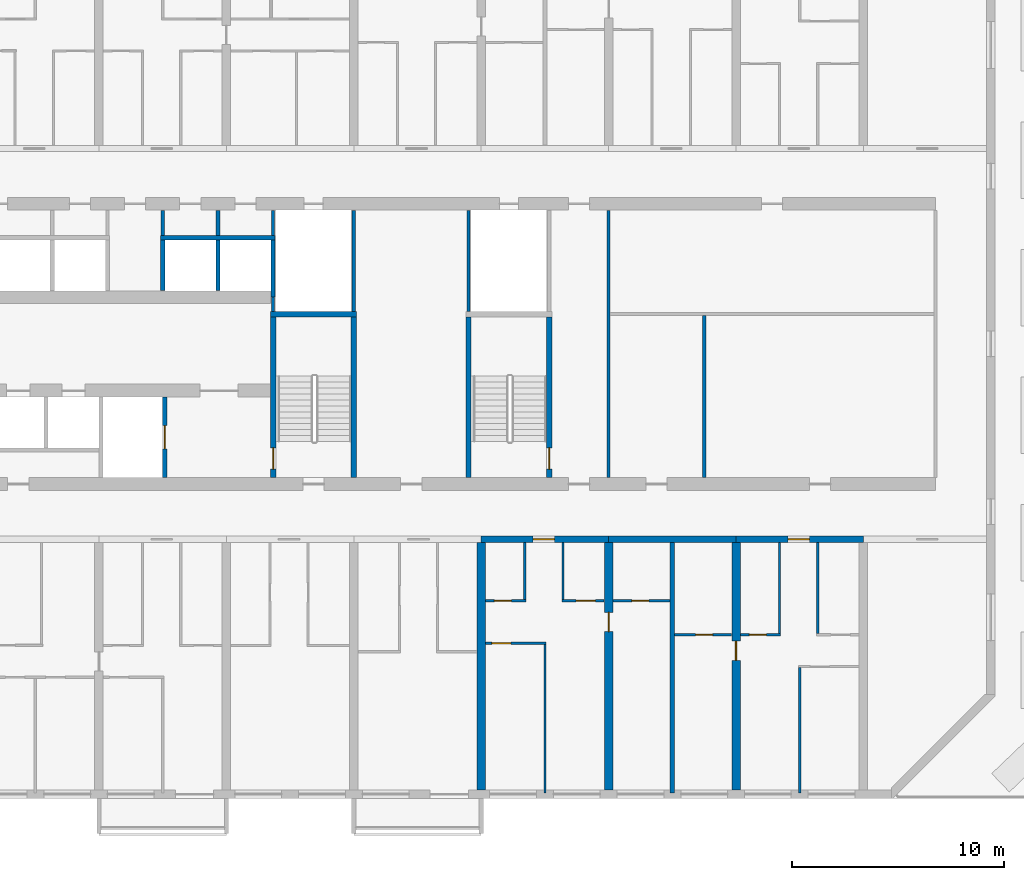
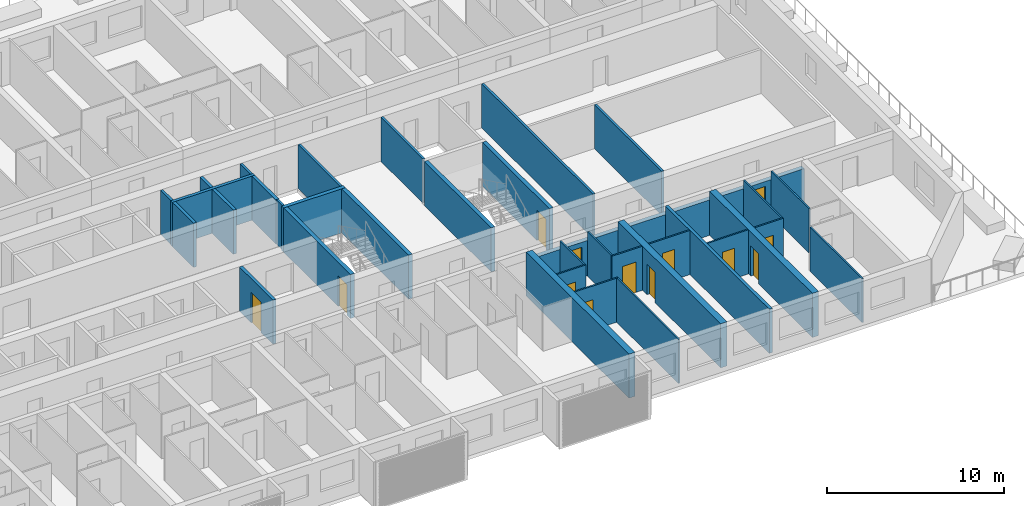
# One storey, part 16 of 23: 37 walls, 13 doors, 13 openings.
"""IFC4 building model written with IfcOpenShell, lengths in metres."""

from ifc_helpers import new_model, si_unit, direction, frame, frame_2d, origin, place, context, subcontext, project, spatial, rectangle, extrude, material, layer, layer_set, type_object, element, fill, save


model = new_model("IFC4")

# Units and contexts
model_context = context("Model", 3, precision=1e-05, world=origin(), true_north=direction((0.0, 1.0)))
body_context = subcontext(model_context, "Body", "Model", "MODEL_VIEW")
ifc_project = project(units=[si_unit("LENGTHUNIT", "METRE"), si_unit("AREAUNIT", "SQUARE_METRE"), si_unit("VOLUMEUNIT", "CUBIC_METRE"), si_unit("PLANEANGLEUNIT", "RADIAN"), si_unit("MASSUNIT", "GRAM", prefix="KILO")], contexts=[model_context])

# Site, building, storey
site_placement = place(None, origin())
site = spatial("IfcSite", under=ifc_project, at=site_placement, CompositionType="ELEMENT")
building_placement = place(site_placement, origin())
building = spatial("IfcBuilding", under=site, at=building_placement, Name="Poui Terraces", CompositionType="ELEMENT")
storey_placement = place(building_placement, frame((0.0, 0.0, 23.39990234375)))
storey = spatial("IfcBuildingStorey", under=building, at=storey_placement, Name="L05", CompositionType="ELEMENT", Elevation=23.39990234375)

# Wall
ifc_material_1 = material(Name="Fire-rated plasterboard wall")
ifc_layer_1 = layer(ifc_material_1, 0.14990234375)
ifc_layer_set_1 = layer_set([ifc_layer_1], Name="Fire-rated plasterboard wall")
wall_type_1 = type_object("IfcWallType", Name="CORRIDOR WALL 150", PredefinedType="PARTITIONING", material=ifc_layer_set_1)
wall_1_placement = place(storey_placement, frame((84.0, 14.909912109375, 0.0), z_axis=(0.0, 0.0, 1.0), x_axis=(0.0, 1.0, 0.0)))
element("IfcWall", 1, at=wall_1_placement, inside=storey, type_object=wall_type_1, Name="CORRIDOR WALL 150", PredefinedType="PARTITIONING", context=body_context, shape_type="SweptSolid", body=[
    extrude(rectangle(XDim=12.580078125, YDim=0.14990234375, at=frame_2d((6.2900390625, 0.0))), origin(), (0.0, 0.0, 1.0), 3.050048828125),
])

# Wall, opening, door
ifc_material_2 = material(Name="Concrete 80 MPa", Category="concrete")
ifc_layer_2 = layer(ifc_material_2, 0.300048828125)
ifc_layer_set_2 = layer_set([ifc_layer_2], Name="Concrete 80 MPa")
wall_type_2 = type_object("IfcWallType", Name="CORRIDOR WALL 300 80MPa", PredefinedType="SHEAR", material=ifc_layer_set_2)
wall_2_placement = place(storey_placement, frame((78.0, 12.0, 0.0), z_axis=(0.0, 0.0, 1.0), x_axis=(1.0, 0.0, 0.0)))
wall_2 = element("IfcWall", 2, at=wall_2_placement, inside=storey, type_object=wall_type_2, Name="CORRIDOR WALL LINE B BAY 14", PredefinedType="SHEAR", context=body_context, shape_type="SweptSolid", body=[
    extrude(rectangle(XDim=6.0, YDim=0.300048828125, at=frame_2d((3.0, 0.0))), origin(), (0.0, 0.0, 1.0), 2.4501953125),
])
opening_1_placement = place(wall_2_placement, frame((2.449951171875, 0.0, 0.0)))
opening_1 = element("IfcOpeningElement", 3, at=opening_1_placement, cuts=wall_2, Name="Opening FD30S", PredefinedType="OPENING", context=body_context, shape_type="SweptSolid", body=[
    extrude(rectangle(XDim=1.0, YDim=2.10009765625, at=frame_2d((0.5, 1.050048828125))), frame((0.0, 0.16015625, 0.0), z_axis=(0.0, -1.0, 0.0), x_axis=(1.0, 0.0, 0.0)), (0.0, 0.0, 1.0), 0.320068359375),
])
ifc_material_3 = material(Name="Steel fire door", Category="steel")
door_type_1 = type_object("IfcDoorType", Name="FLAT ENTRANCE DOOR 1000 X 2100", OperationType="NOTDEFINED", PredefinedType="DOOR", material=ifc_material_3)
door_1_placement = place(opening_1_placement, frame((1.0, 0.0, 0.0), z_axis=(0.0, 0.0, 1.0), x_axis=(-1.0, 0.0, 0.0)))
door_1 = element("IfcDoor", 4, at=door_1_placement, inside=storey, type_object=door_type_1, Name="FLAT ENTRANCE DOOR 142", OperationType="SINGLE_SWING_RIGHT", OverallHeight=2.10009765625, OverallWidth=1.0, PredefinedType="DOOR", context=body_context, shape_type="SweptSolid", body=[
    extrude(rectangle(XDim=1.0, YDim=2.10009765625, at=frame_2d((0.5, 1.050048828125))), frame((0.0, 0.02490234375, 0.0), z_axis=(0.0, -1.0, 0.0), x_axis=(1.0, 0.0, 0.0)), (0.0, 0.0, 1.0), 0.050048828125),
])
fill(opening_1, door_1)

# Wall
wall_3_placement = place(storey_placement, frame((84.0, 12.0, 0.0), z_axis=(0.0, 0.0, 1.0), x_axis=(1.0, 0.0, 0.0)))
element("IfcWall", 5, at=wall_3_placement, inside=storey, type_object=wall_type_2, Name="CORRIDOR WALL LINE B BAY 15", PredefinedType="SHEAR", context=body_context, shape_type="SweptSolid", body=[
    extrude(rectangle(XDim=6.0, YDim=0.300048828125, at=frame_2d((3.0, 0.0))), origin(), (0.0, 0.0, 1.0), 2.4501953125),
])

# Wall, opening, door
wall_4_placement = place(storey_placement, frame((90.0, 12.0, 0.0), z_axis=(0.0, 0.0, 1.0), x_axis=(1.0, 0.0, 0.0)))
wall_4 = element("IfcWall", 6, at=wall_4_placement, inside=storey, type_object=wall_type_2, Name="CORRIDOR WALL LINE B BAY 16", PredefinedType="SHEAR", context=body_context, shape_type="SweptSolid", body=[
    extrude(rectangle(XDim=6.0, YDim=0.300048828125, at=frame_2d((3.0, 0.0))), origin(), (0.0, 0.0, 1.0), 2.4501953125),
])
opening_2_placement = place(wall_4_placement, frame((2.449951171875, 0.0, 0.0)))
opening_2 = element("IfcOpeningElement", 7, at=opening_2_placement, cuts=wall_4, Name="Opening FD30S", PredefinedType="OPENING", context=body_context, shape_type="SweptSolid", body=[
    extrude(rectangle(XDim=1.0, YDim=2.10009765625, at=frame_2d((0.5, 1.050048828125))), frame((0.0, 0.16015625, 0.0), z_axis=(0.0, -1.0, 0.0), x_axis=(1.0, 0.0, 0.0)), (0.0, 0.0, 1.0), 0.320068359375),
])
door_2_placement = place(opening_2_placement, frame((1.0, 0.0, 0.0), z_axis=(0.0, 0.0, 1.0), x_axis=(-1.0, 0.0, 0.0)))
door_2 = element("IfcDoor", 8, at=door_2_placement, inside=storey, type_object=door_type_1, Name="FLAT ENTRANCE DOOR 148", OperationType="SINGLE_SWING_RIGHT", OverallHeight=2.10009765625, OverallWidth=1.0, PredefinedType="DOOR", context=body_context, shape_type="SweptSolid", body=[
    extrude(rectangle(XDim=1.0, YDim=2.10009765625, at=frame_2d((0.5, 1.050048828125))), frame((0.0, 0.02490234375, 0.0), z_axis=(0.0, -1.0, 0.0), x_axis=(1.0, 0.0, 0.0)), (0.0, 0.0, 1.0), 0.050048828125),
])
fill(opening_2, door_2)

# Wall
ifc_layer_3 = layer(ifc_material_2, 0.39990234375)
ifc_layer_set_3 = layer_set([ifc_layer_3], Name="Concrete 80 MPa")
wall_type_3 = type_object("IfcWallType", Name="CROSS WALL 400 80MPa", PredefinedType="SHEAR", material=ifc_layer_set_3)
wall_5_placement = place(storey_placement, frame((78.0, 0.199951171875, 0.0), z_axis=(0.0, 0.0, 1.0), x_axis=(0.0, 1.0, 0.0)))
element("IfcWall", 9, at=wall_5_placement, inside=storey, type_object=wall_type_3, Name="CROSS WALL LINE 14 SOUTH", PredefinedType="SHEAR", context=body_context, shape_type="SweptSolid", body=[
    extrude(rectangle(XDim=11.650146484375, YDim=0.39990234375, at=frame_2d((5.8251953125, 0.0))), origin(), (0.0, 0.0, 1.0), 3.050048828125),
])

# Wall, opening, door
wall_6_placement = place(storey_placement, frame((84.0, 0.199951171875, 0.0), z_axis=(0.0, 0.0, 1.0), x_axis=(0.0, 1.0, 0.0)))
wall_6 = element("IfcWall", 10, at=wall_6_placement, inside=storey, type_object=wall_type_3, Name="CROSS WALL LINE 15 SOUTH", PredefinedType="SHEAR", context=body_context, shape_type="SweptSolid", body=[
    extrude(rectangle(XDim=11.650146484375, YDim=0.39990234375, at=frame_2d((5.8251953125, 0.0))), origin(), (0.0, 0.0, 1.0), 3.050048828125),
])
opening_3_placement = place(wall_6_placement, frame((7.449951171875, 0.0, 0.0)))
opening_3 = element("IfcOpeningElement", 11, at=opening_3_placement, cuts=wall_6, Name="Opening D90", PredefinedType="OPENING", context=body_context, shape_type="SweptSolid", body=[
    extrude(rectangle(XDim=0.89990234375, YDim=2.10009765625, at=frame_2d((0.449951171875, 1.050048828125))), frame((0.0, 0.2099609375, 0.0), z_axis=(0.0, -1.0, 0.0), x_axis=(1.0, 0.0, 0.0)), (0.0, 0.0, 1.0), 0.419921875),
])
ifc_material_4 = material(Name="Solid core timber door", Category="wood")
door_type_2 = type_object("IfcDoorType", Name="INTERNAL DOOR 900 X 2100", OperationType="NOTDEFINED", PredefinedType="DOOR", material=ifc_material_4)
door_3_placement = place(opening_3_placement, frame((0.89990234375, 0.0, 0.0), z_axis=(0.0, 0.0, 1.0), x_axis=(-1.0, 0.0, 0.0)))
door_3 = element("IfcDoor", 12, at=door_3_placement, inside=storey, type_object=door_type_2, Name="INTERNAL DOOR 144", OperationType="SINGLE_SWING_LEFT", OverallHeight=2.10009765625, OverallWidth=0.89990234375, PredefinedType="DOOR", context=body_context, shape_type="SweptSolid", body=[
    extrude(rectangle(XDim=0.89990234375, YDim=2.10009765625, at=frame_2d((0.449951171875, 1.050048828125))), frame((0.0, 0.02490234375, 0.0), z_axis=(0.0, -1.0, 0.0), x_axis=(1.0, 0.0, 0.0)), (0.0, 0.0, 1.0), 0.050048828125),
])
fill(opening_3, door_3)

wall_7_placement = place(storey_placement, frame((90.0, 0.199951171875, 0.0), z_axis=(0.0, 0.0, 1.0), x_axis=(0.0, 1.0, 0.0)))
wall_7 = element("IfcWall", 13, at=wall_7_placement, inside=storey, type_object=wall_type_3, Name="CROSS WALL LINE 16 SOUTH", PredefinedType="SHEAR", context=body_context, shape_type="SweptSolid", body=[
    extrude(rectangle(XDim=11.650146484375, YDim=0.39990234375, at=frame_2d((5.8251953125, 0.0))), origin(), (0.0, 0.0, 1.0), 3.050048828125),
])
opening_4_placement = place(wall_7_placement, frame((6.10009765625, 0.0, 0.0)))
opening_4 = element("IfcOpeningElement", 14, at=opening_4_placement, cuts=wall_7, Name="Opening D90", PredefinedType="OPENING", context=body_context, shape_type="SweptSolid", body=[
    extrude(rectangle(XDim=0.89990234375, YDim=2.10009765625, at=frame_2d((0.449951171875, 1.050048828125))), frame((0.0, 0.2099609375, 0.0), z_axis=(0.0, -1.0, 0.0), x_axis=(1.0, 0.0, 0.0)), (0.0, 0.0, 1.0), 0.419921875),
])
door_4_placement = place(opening_4_placement, origin())
door_4 = element("IfcDoor", 15, at=door_4_placement, inside=storey, type_object=door_type_2, Name="INTERNAL DOOR 146", OperationType="SINGLE_SWING_RIGHT", OverallHeight=2.10009765625, OverallWidth=0.89990234375, PredefinedType="DOOR", context=body_context, shape_type="SweptSolid", body=[
    extrude(rectangle(XDim=0.89990234375, YDim=2.10009765625, at=frame_2d((0.449951171875, 1.050048828125))), frame((0.0, 0.02490234375, 0.0), z_axis=(0.0, -1.0, 0.0), x_axis=(1.0, 0.0, 0.0)), (0.0, 0.0, 1.0), 0.050048828125),
])
fill(opening_4, door_4)

ifc_material_5 = material(Name="Plasterboard partition")
ifc_layer_4 = layer(ifc_material_5, 0.10009765625)
ifc_layer_set_4 = layer_set([ifc_layer_4], Name="Plasterboard partition")
wall_type_4 = type_object("IfcWallType", Name="FLAT PARTITION 100", PredefinedType="PARTITIONING", material=ifc_layer_set_4)
wall_8_placement = place(storey_placement, frame((78.2099609375, 7.10009765625, 0.0), z_axis=(0.0, 0.0, 1.0), x_axis=(1.0, 0.0, 0.0)))
wall_8 = element("IfcWall", 16, at=wall_8_placement, inside=storey, type_object=wall_type_4, Name="FLAT PARTITION 100", PredefinedType="PARTITIONING", context=body_context, shape_type="SweptSolid", body=[
    extrude(rectangle(XDim=2.840087890625, YDim=0.10009765625, at=frame_2d((1.419921875, 0.0))), origin(), (0.0, 0.0, 1.0), 3.050048828125),
])
opening_5_placement = place(wall_8_placement, frame((0.2900390625, 0.0, 0.0)))
opening_5 = element("IfcOpeningElement", 17, at=opening_5_placement, cuts=wall_8, Name="Opening D90", PredefinedType="OPENING", context=body_context, shape_type="SweptSolid", body=[
    extrude(rectangle(XDim=0.89990234375, YDim=2.10009765625, at=frame_2d((0.449951171875, 1.050048828125))), frame((0.0, 0.06005859375, 0.0), z_axis=(0.0, -1.0, 0.0), x_axis=(1.0, 0.0, 0.0)), (0.0, 0.0, 1.0), 0.1201171875),
])
door_5_placement = place(opening_5_placement, origin())
door_5 = element("IfcDoor", 18, at=door_5_placement, inside=storey, type_object=door_type_2, Name="INTERNAL DOOR 140", OperationType="SINGLE_SWING_RIGHT", OverallHeight=2.10009765625, OverallWidth=0.89990234375, PredefinedType="DOOR", context=body_context, shape_type="SweptSolid", body=[
    extrude(rectangle(XDim=0.89990234375, YDim=2.10009765625, at=frame_2d((0.449951171875, 1.050048828125))), frame((0.0, 0.02490234375, 0.0), z_axis=(0.0, -1.0, 0.0), x_axis=(1.0, 0.0, 0.0)), (0.0, 0.0, 1.0), 0.050048828125),
])
fill(opening_5, door_5)

wall_9_placement = place(storey_placement, frame((87.10009765625, 7.5, 0.0), z_axis=(0.0, 0.0, 1.0), x_axis=(1.0, 0.0, 0.0)))
wall_9 = element("IfcWall", 19, at=wall_9_placement, inside=storey, type_object=wall_type_4, Name="FLAT PARTITION 100", PredefinedType="PARTITIONING", context=body_context, shape_type="SweptSolid", body=[
    extrude(rectangle(XDim=2.68994140625, YDim=0.10009765625, at=frame_2d((1.344970703125, 0.0))), origin(), (0.0, 0.0, 1.0), 3.050048828125),
])
opening_6_placement = place(wall_9_placement, frame((1.0, 0.0, 0.0)))
opening_6 = element("IfcOpeningElement", 20, at=opening_6_placement, cuts=wall_9, Name="Opening D80", PredefinedType="OPENING", context=body_context, shape_type="SweptSolid", body=[
    extrude(rectangle(XDim=0.800048828125, YDim=2.10009765625, at=frame_2d((0.39990234375, 1.050048828125))), frame((0.0, 0.06005859375, 0.0), z_axis=(0.0, -1.0, 0.0), x_axis=(1.0, 0.0, 0.0)), (0.0, 0.0, 1.0), 0.1201171875),
])
door_type_3 = type_object("IfcDoorType", Name="BATHROOM, LAUNDRY AND STORE DOOR 800 X 2100", OperationType="NOTDEFINED", PredefinedType="DOOR", material=ifc_material_4)
door_6_placement = place(opening_6_placement, origin())
door_6 = element("IfcDoor", 21, at=door_6_placement, inside=storey, type_object=door_type_3, Name="BATHROOM, LAUNDRY AND STORE DOOR 145", OperationType="SINGLE_SWING_RIGHT", OverallHeight=2.10009765625, OverallWidth=0.800048828125, PredefinedType="DOOR", context=body_context, shape_type="SweptSolid", body=[
    extrude(rectangle(XDim=0.800048828125, YDim=2.10009765625, at=frame_2d((0.39990234375, 1.050048828125))), frame((0.0, 0.02490234375, 0.0), z_axis=(0.0, -1.0, 0.0), x_axis=(1.0, 0.0, 0.0)), (0.0, 0.0, 1.0), 0.050048828125),
])
fill(opening_6, door_6)

wall_10_placement = place(storey_placement, frame((90.2099609375, 7.5, 0.0), z_axis=(0.0, 0.0, 1.0), x_axis=(1.0, 0.0, 0.0)))
wall_10 = element("IfcWall", 22, at=wall_10_placement, inside=storey, type_object=wall_type_4, Name="FLAT PARTITION 100", PredefinedType="PARTITIONING", context=body_context, shape_type="SweptSolid", body=[
    extrude(rectangle(XDim=1.89013671875, YDim=0.10009765625, at=frame_2d((0.945068359375, 0.0))), origin(), (0.0, 0.0, 1.0), 3.050048828125),
])
opening_7_placement = place(wall_10_placement, frame((0.4150390625, 0.0, 0.0)))
opening_7 = element("IfcOpeningElement", 23, at=opening_7_placement, cuts=wall_10, Name="Opening D80", PredefinedType="OPENING", context=body_context, shape_type="SweptSolid", body=[
    extrude(rectangle(XDim=0.800048828125, YDim=2.10009765625, at=frame_2d((0.39990234375, 1.050048828125))), frame((0.0, 0.06005859375, 0.0), z_axis=(0.0, -1.0, 0.0), x_axis=(1.0, 0.0, 0.0)), (0.0, 0.0, 1.0), 0.1201171875),
])
door_7_placement = place(opening_7_placement, origin())
door_7 = element("IfcDoor", 24, at=door_7_placement, inside=storey, type_object=door_type_3, Name="BATHROOM, LAUNDRY AND STORE DOOR 147", OperationType="SINGLE_SWING_RIGHT", OverallHeight=2.10009765625, OverallWidth=0.800048828125, PredefinedType="DOOR", context=body_context, shape_type="SweptSolid", body=[
    extrude(rectangle(XDim=0.800048828125, YDim=2.10009765625, at=frame_2d((0.39990234375, 1.050048828125))), frame((0.0, 0.02490234375, 0.0), z_axis=(0.0, -1.0, 0.0), x_axis=(1.0, 0.0, 0.0)), (0.0, 0.0, 1.0), 0.050048828125),
])
fill(opening_7, door_7)

wall_11_placement = place(storey_placement, frame((78.2099609375, 9.10009765625, 0.0), z_axis=(0.0, 0.0, 1.0), x_axis=(1.0, 0.0, 0.0)))
wall_11 = element("IfcWall", 25, at=wall_11_placement, inside=storey, type_object=wall_type_4, Name="FLAT PARTITION 100", PredefinedType="PARTITIONING", context=body_context, shape_type="SweptSolid", body=[
    extrude(rectangle(XDim=1.89013671875, YDim=0.10009765625, at=frame_2d((0.945068359375, 0.0))), origin(), (0.0, 0.0, 1.0), 3.050048828125),
])
opening_8_placement = place(wall_11_placement, frame((0.4150390625, 0.0, 0.0)))
opening_8 = element("IfcOpeningElement", 26, at=opening_8_placement, cuts=wall_11, Name="Opening D80", PredefinedType="OPENING", context=body_context, shape_type="SweptSolid", body=[
    extrude(rectangle(XDim=0.800048828125, YDim=2.10009765625, at=frame_2d((0.39990234375, 1.050048828125))), frame((0.0, 0.06005859375, 0.0), z_axis=(0.0, -1.0, 0.0), x_axis=(1.0, 0.0, 0.0)), (0.0, 0.0, 1.0), 0.1201171875),
])
door_8_placement = place(opening_8_placement, origin())
door_8 = element("IfcDoor", 27, at=door_8_placement, inside=storey, type_object=door_type_3, Name="BATHROOM, LAUNDRY AND STORE DOOR 141", OperationType="SINGLE_SWING_LEFT", OverallHeight=2.10009765625, OverallWidth=0.800048828125, PredefinedType="DOOR", context=body_context, shape_type="SweptSolid", body=[
    extrude(rectangle(XDim=0.800048828125, YDim=2.10009765625, at=frame_2d((0.39990234375, 1.050048828125))), frame((0.0, 0.02490234375, 0.0), z_axis=(0.0, -1.0, 0.0), x_axis=(1.0, 0.0, 0.0)), (0.0, 0.0, 1.0), 0.050048828125),
])
fill(opening_8, door_8)

wall_12_placement = place(storey_placement, frame((81.800048828125, 9.10009765625, 0.0), z_axis=(0.0, 0.0, 1.0), x_axis=(1.0, 0.0, 0.0)))
wall_12 = element("IfcWall", 28, at=wall_12_placement, inside=storey, type_object=wall_type_4, Name="FLAT PARTITION 100", PredefinedType="PARTITIONING", context=body_context, shape_type="SweptSolid", body=[
    extrude(rectangle(XDim=1.989990234375, YDim=0.10009765625, at=frame_2d((0.9951171875, 0.0))), origin(), (0.0, 0.0, 1.0), 3.050048828125),
])
opening_9_placement = place(wall_12_placement, frame((0.675048828125, 0.0, 0.0)))
opening_9 = element("IfcOpeningElement", 29, at=opening_9_placement, cuts=wall_12, Name="Opening D90", PredefinedType="OPENING", context=body_context, shape_type="SweptSolid", body=[
    extrude(rectangle(XDim=0.89990234375, YDim=2.10009765625, at=frame_2d((0.449951171875, 1.050048828125))), frame((0.0, 0.06005859375, 0.0), z_axis=(0.0, -1.0, 0.0), x_axis=(1.0, 0.0, 0.0)), (0.0, 0.0, 1.0), 0.1201171875),
])
door_9_placement = place(opening_9_placement, origin())
door_9 = element("IfcDoor", 30, at=door_9_placement, inside=storey, type_object=door_type_2, Name="INTERNAL DOOR 143", OperationType="SINGLE_SWING_RIGHT", OverallHeight=2.10009765625, OverallWidth=0.89990234375, PredefinedType="DOOR", context=body_context, shape_type="SweptSolid", body=[
    extrude(rectangle(XDim=0.89990234375, YDim=2.10009765625, at=frame_2d((0.449951171875, 1.050048828125))), frame((0.0, 0.02490234375, 0.0), z_axis=(0.0, -1.0, 0.0), x_axis=(1.0, 0.0, 0.0)), (0.0, 0.0, 1.0), 0.050048828125),
])
fill(opening_9, door_9)

wall_13_placement = place(storey_placement, frame((84.2099609375, 9.10009765625, 0.0), z_axis=(0.0, 0.0, 1.0), x_axis=(1.0, 0.0, 0.0)))
wall_13 = element("IfcWall", 31, at=wall_13_placement, inside=storey, type_object=wall_type_4, Name="FLAT PARTITION 100", PredefinedType="PARTITIONING", context=body_context, shape_type="SweptSolid", body=[
    extrude(rectangle(XDim=2.68994140625, YDim=0.10009765625, at=frame_2d((1.344970703125, 0.0))), origin(), (0.0, 0.0, 1.0), 3.050048828125),
])
opening_10_placement = place(wall_13_placement, frame((0.889892578125, 0.0, 0.0)))
opening_10 = element("IfcOpeningElement", 32, at=opening_10_placement, cuts=wall_13, Name="Opening D80", PredefinedType="OPENING", context=body_context, shape_type="SweptSolid", body=[
    extrude(rectangle(XDim=0.800048828125, YDim=2.10009765625, at=frame_2d((0.39990234375, 1.050048828125))), frame((0.0, 0.06005859375, 0.0), z_axis=(0.0, -1.0, 0.0), x_axis=(1.0, 0.0, 0.0)), (0.0, 0.0, 1.0), 0.1201171875),
])
door_10_placement = place(opening_10_placement, origin())
door_10 = element("IfcDoor", 33, at=door_10_placement, inside=storey, type_object=door_type_3, Name="BATHROOM, LAUNDRY AND STORE DOOR 139", OperationType="SINGLE_SWING_LEFT", OverallHeight=2.10009765625, OverallWidth=0.800048828125, PredefinedType="DOOR", context=body_context, shape_type="SweptSolid", body=[
    extrude(rectangle(XDim=0.800048828125, YDim=2.10009765625, at=frame_2d((0.39990234375, 1.050048828125))), frame((0.0, 0.02490234375, 0.0), z_axis=(0.0, -1.0, 0.0), x_axis=(1.0, 0.0, 0.0)), (0.0, 0.0, 1.0), 0.050048828125),
])
fill(opening_10, door_10)

# Walls
wall_14_placement = place(storey_placement, frame((80.050048828125, 9.14990234375, 0.0), z_axis=(0.0, 0.0, 1.0), x_axis=(0.0, 1.0, 0.0)))
element("IfcWall", 34, at=wall_14_placement, inside=storey, type_object=wall_type_4, Name="FLAT PARTITION 100", PredefinedType="PARTITIONING", context=body_context, shape_type="SweptSolid", body=[
    extrude(rectangle(XDim=2.690185546875, YDim=0.10009765625, at=frame_2d((1.34521484375, 0.0))), origin(), (0.0, 0.0, 1.0), 3.050048828125),
])
wall_15_placement = place(storey_placement, frame((81.0, 0.06005859375, 0.0), z_axis=(0.0, 0.0, 1.0), x_axis=(0.0, 1.0, 0.0)))
element("IfcWall", 35, at=wall_15_placement, inside=storey, type_object=wall_type_4, Name="FLAT PARTITION 100", PredefinedType="PARTITIONING", context=body_context, shape_type="SweptSolid", body=[
    extrude(rectangle(XDim=6.989990234375, YDim=0.10009765625, at=frame_2d((3.4951171875, 0.0))), origin(), (0.0, 0.0, 1.0), 3.050048828125),
])
wall_16_placement = place(storey_placement, frame((81.85009765625, 9.14990234375, 0.0), z_axis=(0.0, 0.0, 1.0), x_axis=(0.0, 1.0, 0.0)))
element("IfcWall", 36, at=wall_16_placement, inside=storey, type_object=wall_type_4, Name="FLAT PARTITION 100", PredefinedType="PARTITIONING", context=body_context, shape_type="SweptSolid", body=[
    extrude(rectangle(XDim=2.690185546875, YDim=0.10009765625, at=frame_2d((1.34521484375, 0.0))), origin(), (0.0, 0.0, 1.0), 3.050048828125),
])
wall_17_placement = place(storey_placement, frame((92.050048828125, 7.550048828125, 0.0), z_axis=(0.0, 0.0, 1.0), x_axis=(0.0, 1.0, 0.0)))
element("IfcWall", 37, at=wall_17_placement, inside=storey, type_object=wall_type_4, Name="FLAT PARTITION 100", PredefinedType="PARTITIONING", context=body_context, shape_type="SweptSolid", body=[
    extrude(rectangle(XDim=4.2900390625, YDim=0.10009765625, at=frame_2d((2.14501953125, 0.0))), origin(), (0.0, 0.0, 1.0), 3.050048828125),
])
wall_18_placement = place(storey_placement, frame((93.0, 0.06005859375, 0.0), z_axis=(0.0, 0.0, 1.0), x_axis=(0.0, 1.0, 0.0)))
element("IfcWall", 38, at=wall_18_placement, inside=storey, type_object=wall_type_4, Name="FLAT PARTITION 100", PredefinedType="PARTITIONING", context=body_context, shape_type="SweptSolid", body=[
    extrude(rectangle(XDim=5.889892578125, YDim=0.10009765625, at=frame_2d((2.94482421875, 0.0))), origin(), (0.0, 0.0, 1.0), 3.050048828125),
])
wall_19_placement = place(storey_placement, frame((93.85009765625, 7.550048828125, 0.0), z_axis=(0.0, 0.0, 1.0), x_axis=(0.0, 1.0, 0.0)))
element("IfcWall", 39, at=wall_19_placement, inside=storey, type_object=wall_type_4, Name="FLAT PARTITION 100", PredefinedType="PARTITIONING", context=body_context, shape_type="SweptSolid", body=[
    extrude(rectangle(XDim=4.2900390625, YDim=0.10009765625, at=frame_2d((2.14501953125, 0.0))), origin(), (0.0, 0.0, 1.0), 3.050048828125),
])
ifc_material_6 = material(Name="Fire-rated masonry wall", Category="masonry")
ifc_layer_5 = layer(ifc_material_6, 0.199951171875)
ifc_layer_set_5 = layer_set([ifc_layer_5], Name="Fire-rated masonry wall")
wall_type_5 = type_object("IfcWallType", Name="FLAT PARTY WALL 200", PredefinedType="PARTITIONING", material=ifc_layer_set_5)
wall_20_placement = place(storey_placement, frame((87.0, 0.06005859375, 0.0), z_axis=(0.0, 0.0, 1.0), x_axis=(0.0, 1.0, 0.0)))
element("IfcWall", 40, at=wall_20_placement, inside=storey, type_object=wall_type_5, Name="FLAT PARTY WALL 200", PredefinedType="PARTITIONING", context=body_context, shape_type="SweptSolid", body=[
    extrude(rectangle(XDim=11.780029296875, YDim=0.199951171875, at=frame_2d((5.89013671875, 0.0))), origin(), (0.0, 0.0, 1.0), 3.050048828125),
])
ifc_layer_6 = layer(ifc_material_5, 0.14990234375)
ifc_layer_set_6 = layer_set([ifc_layer_6], Name="Plasterboard partition")
wall_type_6 = type_object("IfcWallType", Name="PARTITION WALL 150", PredefinedType="PARTITIONING", material=ifc_layer_set_6)
wall_21_placement = place(storey_placement, frame((63.0, 26.300048828125, 0.0), z_axis=(0.0, 0.0, 1.0), x_axis=(0.0, 1.0, 0.0)))
element("IfcWall", 41, at=wall_21_placement, inside=storey, type_object=wall_type_6, Name="PARTITION WALL 150", PredefinedType="PARTITIONING", context=body_context, shape_type="SweptSolid", body=[
    extrude(rectangle(XDim=1.18994140625, YDim=0.14990234375, at=frame_2d((0.594970703125, 0.0))), origin(), (0.0, 0.0, 1.0), 3.050048828125),
])
wall_22_placement = place(storey_placement, frame((88.5, 14.909912109375, 0.0), z_axis=(0.0, 0.0, 1.0), x_axis=(0.0, 1.0, 0.0)))
element("IfcWall", 42, at=wall_22_placement, inside=storey, type_object=wall_type_6, Name="PARTITION WALL 150", PredefinedType="PARTITIONING", context=body_context, shape_type="SweptSolid", body=[
    extrude(rectangle(XDim=7.614990234375, YDim=0.14990234375, at=frame_2d((3.8076171875, 0.0))), origin(), (0.0, 0.0, 1.0), 3.050048828125),
])
ifc_layer_7 = layer(ifc_material_6, 0.199951171875)
ifc_layer_set_7 = layer_set([ifc_layer_7], Name="Fire-rated masonry wall")
wall_type_7 = type_object("IfcWallType", Name="PLANT ROOM WALL 200", PredefinedType="PARTITIONING", material=ifc_layer_set_7)
wall_23_placement = place(storey_placement, frame((65.60009765625, 26.300048828125, 0.0), z_axis=(0.0, 0.0, 1.0), x_axis=(0.0, 1.0, 0.0)))
element("IfcWall", 43, at=wall_23_placement, inside=storey, type_object=wall_type_7, Name="PLANT ROOM WALL 200", PredefinedType="PARTITIONING", context=body_context, shape_type="SweptSolid", body=[
    extrude(rectangle(XDim=1.18994140625, YDim=0.199951171875, at=frame_2d((0.594970703125, 0.0))), origin(), (0.0, 0.0, 1.0), 3.050048828125),
])
ifc_material_7 = material(Name="Fire-rated plasterboard riser wall")
ifc_layer_8 = layer(ifc_material_7, 0.14990234375)
ifc_layer_set_8 = layer_set([ifc_layer_8], Name="Fire-rated plasterboard riser wall")
wall_type_8 = type_object("IfcWallType", Name="RISER WALL 150", PredefinedType="PARTITIONING", material=ifc_layer_set_8)
wall_24_placement = place(storey_placement, frame((68.199951171875, 22.735107421875, 0.0), z_axis=(0.0, 0.0, 1.0), x_axis=(0.0, 1.0, 0.0)))
element("IfcWall", 44, at=wall_24_placement, inside=storey, type_object=wall_type_8, Name="RISER WALL 150", PredefinedType="PARTITIONING", context=body_context, shape_type="SweptSolid", body=[
    extrude(rectangle(XDim=0.664794921875, YDim=0.14990234375, at=frame_2d((0.33251953125, 0.0))), origin(), (0.0, 0.0, 1.0), 3.050048828125),
])
wall_25_placement = place(storey_placement, frame((68.199951171875, 26.300048828125, 0.0), z_axis=(0.0, 0.0, 1.0), x_axis=(0.0, 1.0, 0.0)))
element("IfcWall", 45, at=wall_25_placement, inside=storey, type_object=wall_type_8, Name="RISER WALL 150", PredefinedType="PARTITIONING", context=body_context, shape_type="SweptSolid", body=[
    extrude(rectangle(XDim=1.18994140625, YDim=0.14990234375, at=frame_2d((0.594970703125, 0.0))), origin(), (0.0, 0.0, 1.0), 3.050048828125),
])
for number, where, z_axis, x_axis, name in (
    (46, (72.0, 22.735107421875, 0.0), (0.0, 0.0, 1.0), (0.0, 1.0, 0.0), "RISER WALL 150"),
    (47, (77.39990234375, 22.735107421875, 0.0), (0.0, 0.0, 1.0), (0.0, 1.0, 0.0), "RISER WALL 150"),
):
    element("IfcWall", number, at=place(storey_placement, frame(where, z_axis=z_axis, x_axis=x_axis)), inside=storey, type_object=wall_type_8, Name=name, PredefinedType="PARTITIONING", context=body_context, shape_type="SweptSolid", body=[
        extrude(rectangle(XDim=4.7548828125, YDim=0.14990234375, at=frame_2d((2.37744140625, 0.0))), origin(), (0.0, 0.0, 1.0), 3.050048828125),
    ])
ifc_material_8 = material(Name="Fire-rated masonry shaft wall", Category="masonry")
ifc_layer_9 = layer(ifc_material_8, 0.199951171875)
ifc_layer_set_9 = layer_set([ifc_layer_9], Name="Fire-rated masonry shaft wall")
wall_type_9 = type_object("IfcWallType", Name="SHAFT WALL 200", PredefinedType="PARTITIONING", material=ifc_layer_set_9)
wall_26_placement = place(storey_placement, frame((62.89990234375, 26.199951171875, 0.0), z_axis=(0.0, 0.0, 1.0), x_axis=(1.0, 0.0, 0.0)))
element("IfcWall", 48, at=wall_26_placement, inside=storey, type_object=wall_type_9, Name="SHAFT WALL 200", PredefinedType="PARTITIONING", context=body_context, shape_type="SweptSolid", body=[
    extrude(rectangle(XDim=5.400146484375, YDim=0.199951171875, at=frame_2d((2.7001953125, 0.0))), origin(), (0.0, 0.0, 1.0), 3.050048828125),
])
wall_27_placement = place(storey_placement, frame((63.0, 23.7099609375, 0.0), z_axis=(0.0, 0.0, 1.0), x_axis=(0.0, 1.0, 0.0)))
element("IfcWall", 49, at=wall_27_placement, inside=storey, type_object=wall_type_9, Name="SHAFT WALL 200", PredefinedType="PARTITIONING", context=body_context, shape_type="SweptSolid", body=[
    extrude(rectangle(XDim=2.39013671875, YDim=0.199951171875, at=frame_2d((1.195068359375, 0.0))), origin(), (0.0, 0.0, 1.0), 3.050048828125),
])

# Wall, opening, door
wall_28_placement = place(storey_placement, frame((63.10009765625, 14.909912109375, 0.0), z_axis=(0.0, 0.0, 1.0), x_axis=(0.0, 1.0, 0.0)))
wall_28 = element("IfcWall", 50, at=wall_28_placement, inside=storey, type_object=wall_type_9, Name="SHAFT WALL 200", PredefinedType="PARTITIONING", context=body_context, shape_type="SweptSolid", body=[
    extrude(rectangle(XDim=3.780029296875, YDim=0.199951171875, at=frame_2d((1.89013671875, 0.0))), origin(), (0.0, 0.0, 1.0), 3.050048828125),
])
opening_11_placement = place(wall_28_placement, frame((1.340087890625, 0.0, 0.0)))
opening_11 = element("IfcOpeningElement", 51, at=opening_11_placement, cuts=wall_28, Name="Opening LD", PredefinedType="OPENING", context=body_context, shape_type="SweptSolid", body=[
    extrude(rectangle(XDim=1.10009765625, YDim=2.10009765625, at=frame_2d((0.550048828125, 1.050048828125))), frame((0.0, 0.10986328125, 0.0), z_axis=(0.0, -1.0, 0.0), x_axis=(1.0, 0.0, 0.0)), (0.0, 0.0, 1.0), 0.219970703125),
])
ifc_material_9 = material(Name="Stainless steel sliding door", Category="steel")
door_type_4 = type_object("IfcDoorType", Name="LIFT LANDING DOOR 1100 X 2100", OperationType="DOUBLE_DOOR_SLIDING", PredefinedType="DOOR", material=ifc_material_9)
door_11_placement = place(opening_11_placement, origin())
door_11 = element("IfcDoor", 52, at=door_11_placement, inside=storey, type_object=door_type_4, Name="LANDING DOOR", OperationType="DOUBLE_DOOR_SLIDING", OverallHeight=2.10009765625, OverallWidth=1.10009765625, PredefinedType="DOOR", context=body_context, shape_type="SweptSolid", body=[
    extrude(rectangle(XDim=1.10009765625, YDim=2.10009765625, at=frame_2d((0.550048828125, 1.050048828125))), frame((0.0, 0.02490234375, 0.0), z_axis=(0.0, -1.0, 0.0), x_axis=(1.0, 0.0, 0.0)), (0.0, 0.0, 1.0), 0.050048828125),
])
fill(opening_11, door_11)

# Walls
wall_29_placement = place(storey_placement, frame((65.60009765625, 23.7099609375, 0.0), z_axis=(0.0, 0.0, 1.0), x_axis=(0.0, 1.0, 0.0)))
element("IfcWall", 53, at=wall_29_placement, inside=storey, type_object=wall_type_9, Name="SHAFT WALL 200", PredefinedType="PARTITIONING", context=body_context, shape_type="SweptSolid", body=[
    extrude(rectangle(XDim=2.39013671875, YDim=0.199951171875, at=frame_2d((1.195068359375, 0.0))), origin(), (0.0, 0.0, 1.0), 3.050048828125),
])
wall_30_placement = place(storey_placement, frame((68.199951171875, 23.39990234375, 0.0), z_axis=(0.0, 0.0, 1.0), x_axis=(0.0, 1.0, 0.0)))
element("IfcWall", 54, at=wall_30_placement, inside=storey, type_object=wall_type_9, Name="SHAFT WALL 200", PredefinedType="PARTITIONING", context=body_context, shape_type="SweptSolid", body=[
    extrude(rectangle(XDim=2.7001953125, YDim=0.199951171875, at=frame_2d((1.35009765625, 0.0))), origin(), (0.0, 0.0, 1.0), 3.050048828125),
])

# Wall, opening, door
ifc_layer_10 = layer(ifc_material_2, 0.25)
ifc_layer_set_10 = layer_set([ifc_layer_10], Name="Concrete 80 MPa")
wall_type_10 = type_object("IfcWallType", Name="STAIR CORE WALL 250 80 MPA", PredefinedType="SOLIDWALL", material=ifc_layer_set_10)
wall_31_placement = place(storey_placement, frame((68.199951171875, 14.89990234375, 0.0), z_axis=(0.0, 0.0, 1.0), x_axis=(0.0, 1.0, 0.0)))
wall_31 = element("IfcWall", 55, at=wall_31_placement, inside=storey, type_object=wall_type_10, Name="STAIR CORE WALL", PredefinedType="SOLIDWALL", context=body_context, shape_type="SweptSolid", body=[
    extrude(rectangle(XDim=7.5751953125, YDim=0.25, at=frame_2d((3.78759765625, 0.0))), origin(), (0.0, 0.0, 1.0), 3.050048828125),
])
opening_12_placement = place(wall_31_placement, frame((0.39990234375, 0.0, 0.0)))
opening_12 = element("IfcOpeningElement", 56, at=opening_12_placement, cuts=wall_31, Name="Opening FD60S", PredefinedType="OPENING", context=body_context, shape_type="SweptSolid", body=[
    extrude(rectangle(XDim=1.0, YDim=2.10009765625, at=frame_2d((0.5, 1.050048828125))), frame((0.0, 0.135009765625, 0.0), z_axis=(0.0, -1.0, 0.0), x_axis=(1.0, 0.0, 0.0)), (0.0, 0.0, 1.0), 0.27001953125),
])
door_type_5 = type_object("IfcDoorType", Name="STAIR DOOR 1000 X 2100", OperationType="NOTDEFINED", PredefinedType="DOOR", material=ifc_material_3)
door_12_placement = place(opening_12_placement, frame((1.0, 0.0, 0.0), z_axis=(0.0, 0.0, 1.0), x_axis=(-1.0, 0.0, 0.0)))
door_12 = element("IfcDoor", 57, at=door_12_placement, inside=storey, type_object=door_type_5, Name="STAIR DOOR 153", OperationType="SINGLE_SWING_LEFT", OverallHeight=2.10009765625, OverallWidth=1.0, PredefinedType="DOOR", context=body_context, shape_type="SweptSolid", body=[
    extrude(rectangle(XDim=1.0, YDim=2.10009765625, at=frame_2d((0.5, 1.050048828125))), frame((0.0, 0.02490234375, 0.0), z_axis=(0.0, -1.0, 0.0), x_axis=(1.0, 0.0, 0.0)), (0.0, 0.0, 1.0), 0.050048828125),
])
fill(opening_12, door_12)

# Walls
wall_32_placement = place(storey_placement, frame((72.0, 14.89990234375, 0.0), z_axis=(0.0, 0.0, 1.0), x_axis=(0.0, 1.0, 0.0)))
element("IfcWall", 58, at=wall_32_placement, inside=storey, type_object=wall_type_10, Name="STAIR CORE WALL", PredefinedType="SOLIDWALL", context=body_context, shape_type="SweptSolid", body=[
    extrude(rectangle(XDim=7.5751953125, YDim=0.25, at=frame_2d((3.78759765625, 0.0))), origin(), (0.0, 0.0, 1.0), 3.050048828125),
])
wall_33_placement = place(storey_placement, frame((68.074951171875, 22.60009765625, 0.0), z_axis=(0.0, 0.0, 1.0), x_axis=(1.0, 0.0, 0.0)))
element("IfcWall", 59, at=wall_33_placement, inside=storey, type_object=wall_type_10, Name="STAIR CORE WALL", PredefinedType="SOLIDWALL", context=body_context, shape_type="SweptSolid", body=[
    extrude(rectangle(XDim=4.050048828125, YDim=0.25, at=frame_2d((2.02490234375, 0.0))), origin(), (0.0, 0.0, 1.0), 3.050048828125),
])
wall_34_placement = place(storey_placement, frame((77.39990234375, 14.89990234375, 0.0), z_axis=(0.0, 0.0, 1.0), x_axis=(0.0, 1.0, 0.0)))
element("IfcWall", 60, at=wall_34_placement, inside=storey, type_object=wall_type_10, Name="STAIR CORE WALL", PredefinedType="SOLIDWALL", context=body_context, shape_type="SweptSolid", body=[
    extrude(rectangle(XDim=7.5751953125, YDim=0.25, at=frame_2d((3.78759765625, 0.0))), origin(), (0.0, 0.0, 1.0), 3.050048828125),
])

# Wall, opening, door
wall_35_placement = place(storey_placement, frame((81.199951171875, 14.89990234375, 0.0), z_axis=(0.0, 0.0, 1.0), x_axis=(0.0, 1.0, 0.0)))
wall_35 = element("IfcWall", 61, at=wall_35_placement, inside=storey, type_object=wall_type_10, Name="STAIR CORE WALL", PredefinedType="SOLIDWALL", context=body_context, shape_type="SweptSolid", body=[
    extrude(rectangle(XDim=7.5751953125, YDim=0.25, at=frame_2d((3.78759765625, 0.0))), origin(), (0.0, 0.0, 1.0), 3.050048828125),
])
opening_13_placement = place(wall_35_placement, frame((0.39990234375, 0.0, 0.0)))
opening_13 = element("IfcOpeningElement", 62, at=opening_13_placement, cuts=wall_35, Name="Opening FD60S", PredefinedType="OPENING", context=body_context, shape_type="SweptSolid", body=[
    extrude(rectangle(XDim=1.0, YDim=2.10009765625, at=frame_2d((0.5, 1.050048828125))), frame((0.0, 0.135009765625, 0.0), z_axis=(0.0, -1.0, 0.0), x_axis=(1.0, 0.0, 0.0)), (0.0, 0.0, 1.0), 0.27001953125),
])
door_13_placement = place(opening_13_placement, origin())
door_13 = element("IfcDoor", 63, at=door_13_placement, inside=storey, type_object=door_type_5, Name="STAIR DOOR 167", OperationType="SINGLE_SWING_LEFT", OverallHeight=2.10009765625, OverallWidth=1.0, PredefinedType="DOOR", context=body_context, shape_type="SweptSolid", body=[
    extrude(rectangle(XDim=1.0, YDim=2.10009765625, at=frame_2d((0.5, 1.050048828125))), frame((0.0, 0.02490234375, 0.0), z_axis=(0.0, -1.0, 0.0), x_axis=(1.0, 0.0, 0.0)), (0.0, 0.0, 1.0), 0.050048828125),
])
fill(opening_13, door_13)

save(model, "model.ifc")
